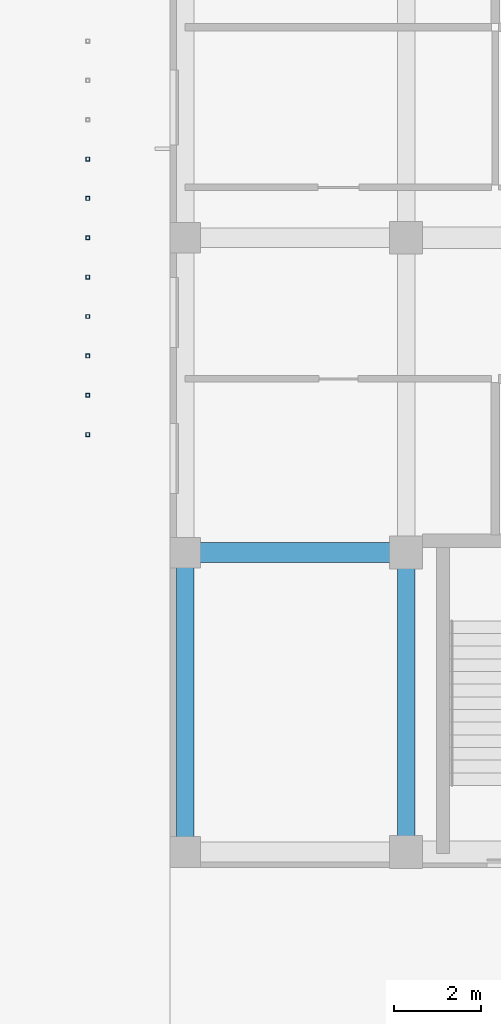
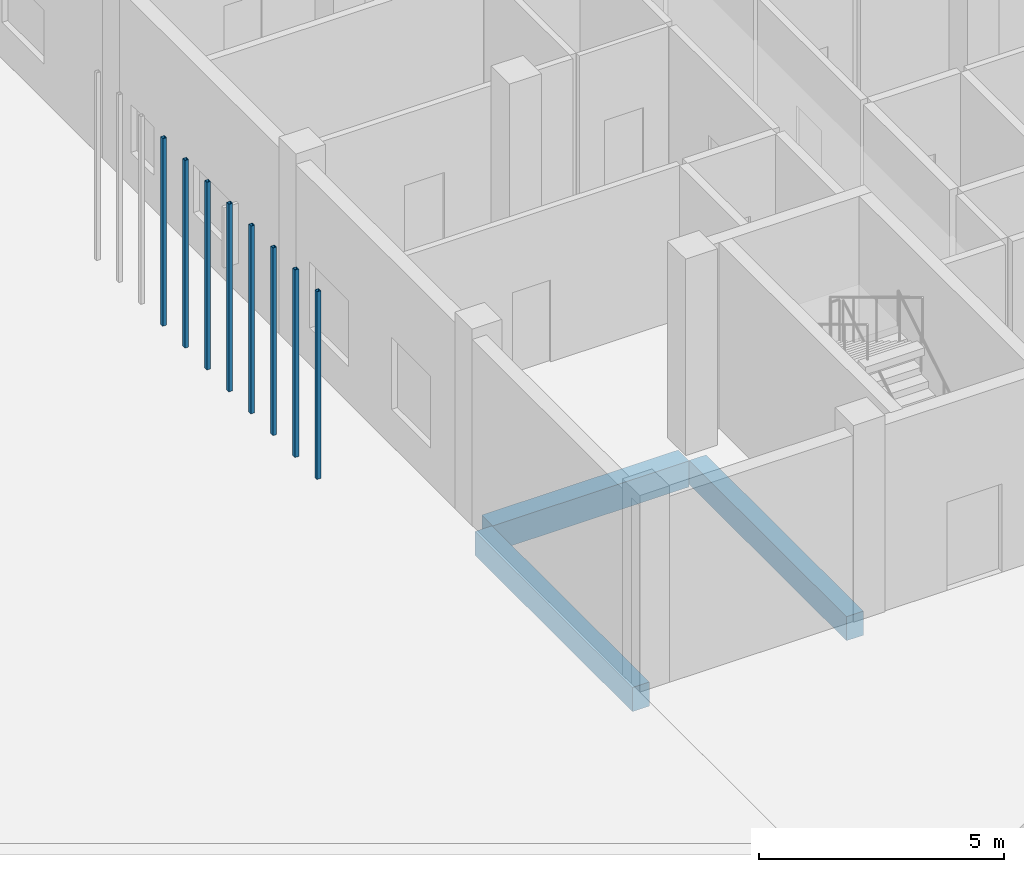
# One storey, part 25 of 85: 8 members, 3 beams.
"""IFC4 building model written with IfcOpenShell, lengths in metres."""

from ifc_helpers import new_model, si_unit, derived_unit, direction, frame, origin, origin_2d, place, context, subcontext, project, spatial, rectangle, hollow_rectangle, extrude, material, material_profile, profile_set, type_object, element, save


model = new_model("IFC4")

# Units and contexts
model_context = context("Model", 3, precision=1e-05, world=origin(), true_north=direction((0.0, 1.0)))
body_context = subcontext(model_context, "Body", "Model", "MODEL_VIEW")
ifc_project = project(units=[si_unit("LENGTHUNIT", "METRE"), si_unit("AREAUNIT", "SQUARE_METRE"), si_unit("VOLUMEUNIT", "CUBIC_METRE"), si_unit("PLANEANGLEUNIT", "RADIAN"), si_unit("MASSUNIT", "GRAM", prefix="KILO"), derived_unit("THERMALTRANSMITTANCEUNIT", [(si_unit("MASSUNIT", "GRAM", prefix="KILO"), 1), (si_unit("TIMEUNIT", "SECOND"), -3), (si_unit("THERMODYNAMICTEMPERATUREUNIT", "KELVIN"), -1)])], contexts=[model_context])

# Site, building, storey
site_placement = place(None, origin())
site = spatial("IfcSite", under=ifc_project, at=site_placement, CompositionType="ELEMENT")
building_placement = place(site_placement, origin())
building = spatial("IfcBuilding", under=site, at=building_placement, Name="Ochrekiln Boulevard Commons", CompositionType="ELEMENT")
storey_placement = place(building_placement, origin())
storey = spatial("IfcBuildingStorey", under=building, at=storey_placement, Name="L00", CompositionType="ELEMENT", Elevation=0.0)

# Beams
ifc_material_1 = material(Name="Concrete C35/45", Category="concrete")
ifc_material_profile_1 = material_profile(ifc_material_1, rectangle(XDim=0.39990234375, YDim=0.60009765625, at=origin_2d()), Name="RC-BM-400x600")
ifc_profile_set_1 = profile_set([ifc_material_profile_1], Name="Concrete C35/45")
beam_type_1 = type_object("IfcBeamType", Name="BM-RC-400x600", PredefinedType="BEAM", material=ifc_profile_set_1)
for number, where, z_axis, x_axis, name in (
    (1, (151.550048828125, 68.9599609375, -0.580078125), (0.0, 1.0, 0.0), (-1.0, 0.0, 0.0), "Block B L00 Beam B-4060 Y23"),
    (2, (156.60009765625, 68.9599609375, -0.580078125), (0.0, 1.0, 0.0), (-1.0, 0.0, 0.0), "Block B L00 Beam B-4060 Y30"),
):
    element("IfcBeam", number, at=place(storey_placement, frame(where, z_axis=z_axis, x_axis=x_axis)), inside=storey, type_object=beam_type_1, Name=name, PredefinedType="BEAM", context=body_context, shape_type="SweptSolid", body=[
        extrude(rectangle(XDim=0.39990234375, YDim=0.60009765625, at=origin_2d()), origin(), (0.0, 0.0, 1.0), 6.429931640625),
    ])
ifc_material_profile_2 = material_profile(ifc_material_1, rectangle(XDim=0.449951171875, YDim=0.64990234375, at=origin_2d()), Name="RC-BM-450x650")
ifc_profile_set_2 = profile_set([ifc_material_profile_2], Name="Concrete C35/45")
beam_type_2 = type_object("IfcBeamType", Name="BM-RC-450x650", PredefinedType="BEAM", material=ifc_profile_set_2)
beam_placement = place(storey_placement, frame((151.760009765625, 75.60009765625, -0.60498046875), z_axis=(1.0, 0.0, 0.0), x_axis=(0.0, 1.0, 0.0)))
element("IfcBeam", 3, at=beam_placement, inside=storey, type_object=beam_type_2, Name="Block B L00 Beam B-4565 X4", PredefinedType="BEAM", context=body_context, shape_type="SweptSolid", body=[
    extrude(rectangle(XDim=0.449951171875, YDim=0.64990234375, at=origin_2d()), origin(), (0.0, 0.0, 1.0), 4.6298828125),
])

# Members
ifc_material_2 = material(Name="Steel A500 Grade C", Category="steel")
ifc_material_profile_3 = material_profile(ifc_material_2, hollow_rectangle(XDim=0.090087890625, YDim=0.090087890625, WallThickness=0.00634765625, at=origin_2d()), Name="HSS90X90X6.4")
ifc_profile_set_3 = profile_set([ifc_material_profile_3], Name="Steel A500 Grade C")
member_type = type_object("IfcMemberType", Name="MEM-PST-HSS90", PredefinedType="POST", material=ifc_profile_set_3)
for number, where, z_axis, x_axis, name in (
    (4, (149.320068359375, 78.300048828125, 0.0), (0.0, 0.0, 1.0), (1.0, 0.0, 0.0), "Block B L00 Slim Vertical Balcony Post (133)"),
    (5, (149.320068359375, 79.199951171875, 0.0), (0.0, 0.0, 1.0), (1.0, 0.0, 0.0), "Block B L00 Slim Vertical Balcony Post (134)"),
    (6, (149.320068359375, 80.10009765625, 0.0), (0.0, 0.0, 1.0), (1.0, 0.0, 0.0), "Block B L00 Slim Vertical Balcony Post (135)"),
    (7, (149.320068359375, 81.0, 0.0), (0.0, 0.0, 1.0), (1.0, 0.0, 0.0), "Block B L00 Slim Vertical Balcony Post (136)"),
    (8, (149.320068359375, 81.89990234375, 0.0), (0.0, 0.0, 1.0), (1.0, 0.0, 0.0), "Block B L00 Slim Vertical Balcony Post (137)"),
    (9, (149.320068359375, 82.800048828125, 0.0), (0.0, 0.0, 1.0), (1.0, 0.0, 0.0), "Block B L00 Slim Vertical Balcony Post (138)"),
    (10, (149.320068359375, 83.699951171875, 0.0), (0.0, 0.0, 1.0), (1.0, 0.0, 0.0), "Block B L00 Slim Vertical Balcony Post (139)"),
    (11, (149.320068359375, 84.60009765625, 0.0), (0.0, 0.0, 1.0), (1.0, 0.0, 0.0), "Block B L00 Slim Vertical Balcony Post (140)"),
):
    element("IfcMember", number, at=place(storey_placement, frame(where, z_axis=z_axis, x_axis=x_axis)), inside=storey, type_object=member_type, Name=name, PredefinedType="POST", context=body_context, shape_type="SweptSolid", body=[
        extrude(hollow_rectangle(XDim=0.090087890625, YDim=0.090087890625, WallThickness=0.00634765625, at=origin_2d()), origin(), (0.0, 0.0, 1.0), 4.679931640625),
    ])

save(model, "model.ifc")
